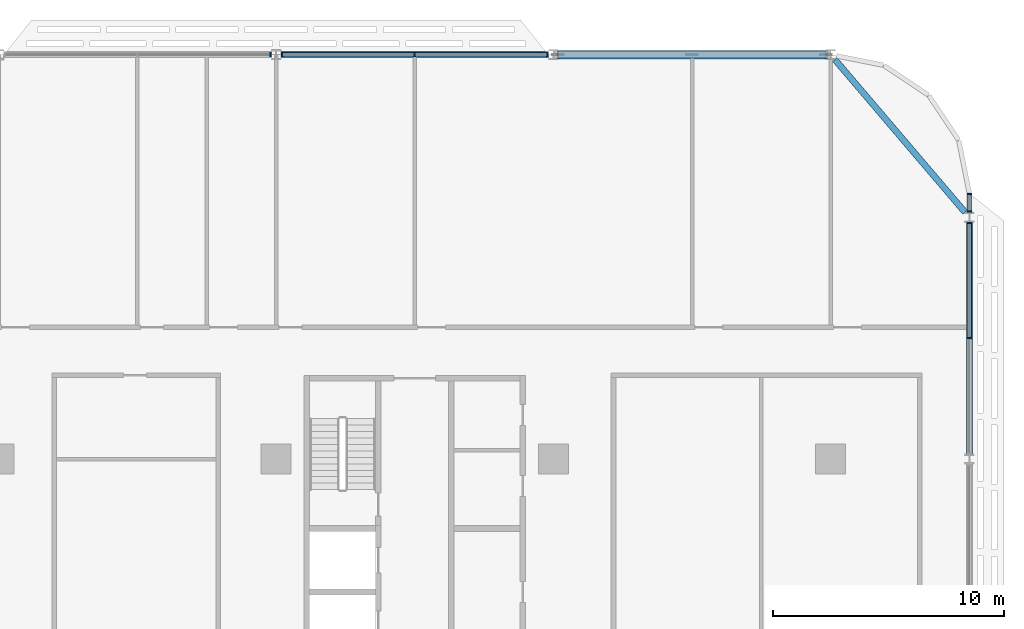
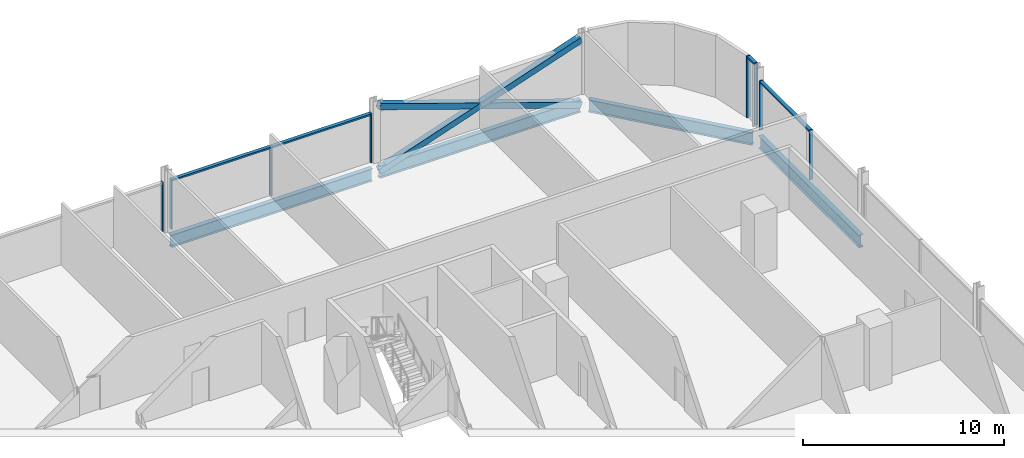
# One storey, part 10 of 28: 15 members, 4 beams, 4 elements without a shape of their own.
"""IFC4 building model written with IfcOpenShell, lengths in metres."""

from ifc_helpers import new_model, si_unit, direction, frame, origin, origin_2d, place, context, subcontext, project, spatial, rectangle, hollow_rectangle, i_section, extrude, material, material_profile, profile_set, type_object, element, aggregate, save


model = new_model("IFC4")

# Units and contexts
model_context = context("Model", 3, precision=1e-05, world=origin(), true_north=direction((0.0, 1.0)))
body_context = subcontext(model_context, "Body", "Model", "MODEL_VIEW")
ifc_project = project(units=[si_unit("LENGTHUNIT", "METRE"), si_unit("AREAUNIT", "SQUARE_METRE"), si_unit("VOLUMEUNIT", "CUBIC_METRE"), si_unit("PLANEANGLEUNIT", "RADIAN"), si_unit("MASSUNIT", "GRAM", prefix="KILO")], contexts=[model_context])

# Site, building, storey
site_placement = place(None, origin())
site = spatial("IfcSite", under=ifc_project, at=site_placement, CompositionType="ELEMENT")
building_placement = place(site_placement, origin())
building = spatial("IfcBuilding", under=site, at=building_placement, Name="Mahtab Terrace Research Tower", CompositionType="ELEMENT")
storey_placement = place(building_placement, frame((0.0, 0.0, 130.199951171875)))
storey = spatial("IfcBuildingStorey", under=building, at=storey_placement, Name="L30", CompositionType="ELEMENT", Elevation=130.199951171875)

# Members
ifc_material_1 = material(Name="Steel ASTM A500 Gr C", Category="steel")
ifc_material_profile_1 = material_profile(ifc_material_1, hollow_rectangle(XDim=0.355712890625, YDim=0.355712890625, WallThickness=0.01904296875, at=origin_2d()), Name="HSS14X14X3/4")
ifc_profile_set_1 = profile_set([ifc_material_profile_1], Name="Steel ASTM A500 Gr C")
member_type_1 = type_object("IfcMemberType", Name="HSS 14x14x3/4 brace XB141434", PredefinedType="BRACE", material=ifc_profile_set_1)
member_1_placement = place(storey_placement, frame((41.794189453125, 29.0, -0.648193359375), z_axis=(-0.946288278, 0.0, 0.323324132908), x_axis=(0.0, -1.0, 0.0)))
element("IfcMember", 1, at=member_1_placement, inside=storey, type_object=member_type_1, Name="Exoskeleton brace L30 01 a", PredefinedType="BRACE", context=body_context, shape_type="SweptSolid", body=[
    extrude(hollow_rectangle(XDim=0.355712890625, YDim=0.355712890625, WallThickness=0.01904296875, at=origin_2d()), origin(), (0.0, 0.0, 1.0), 12.24609375),
])
for number, where, z_axis, x_axis, name in (
    (2, (30.205810546875, 29.0, -0.648193359375), (0.946288278, 0.0, 0.323324132908), (0.0, 1.0, 0.0), "Exoskeleton brace L30 01 b1"),
    (3, (36.0, 29.0, 1.33154296875), (0.946288278, 0.0, 0.323324132908), (0.0, 1.0, 0.0), "Exoskeleton brace L30 01 b2"),
):
    element("IfcMember", number, at=place(storey_placement, frame(where, z_axis=z_axis, x_axis=x_axis)), inside=storey, type_object=member_type_1, Name=name, PredefinedType="BRACE", context=body_context, shape_type="SweptSolid", body=[
        extrude(hollow_rectangle(XDim=0.355712890625, YDim=0.355712890625, WallThickness=0.01904296875, at=origin_2d()), origin(), (0.0, 0.0, 1.0), 6.123046875),
    ])

# Curtain wall, members
ifc_material_2 = material(Name="Laboratory ribbon curtain wall")
curtain_wall_type = type_object("IfcCurtainWallType", Name="Laboratory ribbon curtain wall", PredefinedType="NOTDEFINED", material=ifc_material_2)
curtain_wall_1_placement = place(storey_placement, origin())
curtain_wall_1 = element("IfcCurtainWall", 4, at=curtain_wall_1_placement, inside=storey, type_object=curtain_wall_type, Name="EN.L30.3.4", PredefinedType="NOTDEFINED")
ifc_material_3 = material(Name="Natural anodised aluminium", Category="aluminium")
ifc_material_profile_2 = material_profile(ifc_material_3, rectangle(XDim=0.199951171875, YDim=0.06494140625, at=origin_2d()), Name="MULLION 65x200")
ifc_profile_set_2 = profile_set([ifc_material_profile_2], Name="Natural anodised aluminium")
member_type_2 = type_object("IfcMemberType", Name="Laboratory ribbon curtain wall mullion", PredefinedType="MULLION", material=ifc_profile_set_2)
member_2_placement = place(storey_placement, frame((29.74951171875, 29.0, 0.0), z_axis=(0.0, 0.0, 1.0), x_axis=(0.0, -1.0, 0.0)))
member_2 = element("IfcMember", 5, at=member_2_placement, type_object=member_type_2, Name="CWL-4 mullion 1", PredefinedType="MULLION", context=body_context, shape_type="SweptSolid", body=[
    extrude(rectangle(XDim=0.199951171875, YDim=0.06494140625, at=origin_2d()), origin(), (0.0, 0.0, 1.0), 3.003173828125),
])
member_3_placement = place(storey_placement, frame((24.0, 29.0, 0.0), z_axis=(0.0, 0.0, 1.0), x_axis=(0.0, -1.0, 0.0)))
member_3 = element("IfcMember", 6, at=member_3_placement, type_object=member_type_2, Name="CWL-4 mullion 2", PredefinedType="MULLION", context=body_context, shape_type="SweptSolid", body=[
    extrude(rectangle(XDim=0.199951171875, YDim=0.06494140625, at=origin_2d()), origin(), (0.0, 0.0, 1.0), 3.003173828125),
])
member_4_placement = place(storey_placement, frame((18.25048828125, 29.0, 0.0), z_axis=(0.0, 0.0, 1.0), x_axis=(0.0, -1.0, 0.0)))
member_4 = element("IfcMember", 7, at=member_4_placement, type_object=member_type_2, Name="CWL-4 mullion 3", PredefinedType="MULLION", context=body_context, shape_type="SweptSolid", body=[
    extrude(rectangle(XDim=0.199951171875, YDim=0.06494140625, at=origin_2d()), origin(), (0.0, 0.0, 1.0), 3.003173828125),
])

# Curtain wall, member
curtain_wall_2_placement = place(storey_placement, origin())
curtain_wall_2 = element("IfcCurtainWall", 8, at=curtain_wall_2_placement, inside=storey, type_object=curtain_wall_type, Name="EN.L30.3.5", PredefinedType="NOTDEFINED")
member_5_placement = place(storey_placement, frame((17.74951171875, 29.0, 0.0), z_axis=(0.0, 0.0, 1.0), x_axis=(0.0, -1.0, 0.0)))
member_5 = element("IfcMember", 9, at=member_5_placement, type_object=member_type_2, Name="CWL-4 mullion 1", PredefinedType="MULLION", context=body_context, shape_type="SweptSolid", body=[
    extrude(rectangle(XDim=0.199951171875, YDim=0.06494140625, at=origin_2d()), origin(), (0.0, 0.0, 1.0), 3.003173828125),
])
aggregate(curtain_wall_2, [member_5])

# Curtain wall, members
curtain_wall_3_placement = place(storey_placement, origin())
curtain_wall_3 = element("IfcCurtainWall", 10, at=curtain_wall_3_placement, inside=storey, type_object=curtain_wall_type, Name="EN.L30.18.38", PredefinedType="NOTDEFINED")
member_6_placement = place(storey_placement, frame((48.0, 16.73095703125, 0.0), z_axis=(0.0, 0.0, 1.0), x_axis=(-1.0, 0.0, 0.0)))
member_6 = element("IfcMember", 11, at=member_6_placement, type_object=member_type_2, Name="CWL-4 mullion 2", PredefinedType="MULLION", context=body_context, shape_type="SweptSolid", body=[
    extrude(rectangle(XDim=0.199951171875, YDim=0.06494140625, at=origin_2d()), origin(), (0.0, 0.0, 1.0), 3.003173828125),
])
member_7_placement = place(storey_placement, frame((48.0, 21.71142578125, 0.0), z_axis=(0.0, 0.0, 1.0), x_axis=(-1.0, 0.0, 0.0)))
member_7 = element("IfcMember", 12, at=member_7_placement, type_object=member_type_2, Name="CWL-4 mullion 3", PredefinedType="MULLION", context=body_context, shape_type="SweptSolid", body=[
    extrude(rectangle(XDim=0.199951171875, YDim=0.06494140625, at=origin_2d()), origin(), (0.0, 0.0, 1.0), 3.003173828125),
])

curtain_wall_4_placement = place(storey_placement, origin())
curtain_wall_4 = element("IfcCurtainWall", 13, at=curtain_wall_4_placement, inside=storey, type_object=curtain_wall_type, Name="EN.L30.18.39", PredefinedType="NOTDEFINED")
member_8_placement = place(storey_placement, frame((48.0, 22.21240234375, 0.0), z_axis=(0.0, 0.0, 1.0), x_axis=(-1.0, 0.0, 0.0)))
member_8 = element("IfcMember", 14, at=member_8_placement, type_object=member_type_2, Name="CWL-4 mullion 1", PredefinedType="MULLION", context=body_context, shape_type="SweptSolid", body=[
    extrude(rectangle(XDim=0.199951171875, YDim=0.06494140625, at=origin_2d()), origin(), (0.0, 0.0, 1.0), 3.760009765625),
])
member_9_placement = place(storey_placement, frame((48.0, 22.967529296875, 0.0), z_axis=(0.0, 0.0, 1.0), x_axis=(-1.0, 0.0, 0.0)))
member_9 = element("IfcMember", 15, at=member_9_placement, type_object=member_type_2, Name="CWL-4 mullion 2", PredefinedType="MULLION", context=body_context, shape_type="SweptSolid", body=[
    extrude(rectangle(XDim=0.199951171875, YDim=0.06494140625, at=origin_2d()), origin(), (0.0, 0.0, 1.0), 3.760009765625),
])

# Member
ifc_material_profile_3 = material_profile(ifc_material_3, rectangle(XDim=0.199951171875, YDim=0.10009765625, at=origin_2d()), Name="TRANSOM 100x200")
ifc_profile_set_3 = profile_set([ifc_material_profile_3], Name="Natural anodised aluminium")
member_type_3 = type_object("IfcMemberType", Name="Laboratory ribbon curtain wall transom", PredefinedType="USERDEFINED", material=ifc_profile_set_3)
member_10_placement = place(storey_placement, frame((29.717041015625, 29.0, 2.953125), z_axis=(-1.0, 0.0, 0.0), x_axis=(0.0, -1.0, 0.0)))
member_10 = element("IfcMember", 16, at=member_10_placement, type_object=member_type_3, Name="CWL-4 transom 1", ObjectType="TRANSOM", PredefinedType="USERDEFINED", context=body_context, shape_type="SweptSolid", body=[
    extrude(rectangle(XDim=0.199951171875, YDim=0.10009765625, at=origin_2d()), origin(), (0.0, 0.0, 1.0), 5.6845703125),
])

member_11_placement = place(storey_placement, frame((23.967529296875, 29.0, 2.953125), z_axis=(-1.0, 0.0, 0.0), x_axis=(0.0, -1.0, 0.0)))
member_11 = element("IfcMember", 17, at=member_11_placement, type_object=member_type_3, Name="CWL-4 transom 2", ObjectType="TRANSOM", PredefinedType="USERDEFINED", context=body_context, shape_type="SweptSolid", body=[
    extrude(rectangle(XDim=0.199951171875, YDim=0.10009765625, at=origin_2d()), origin(), (0.0, 0.0, 1.0), 5.6845703125),
])

aggregate(curtain_wall_1, [member_2, member_3, member_4, member_10, member_11])

member_12_placement = place(storey_placement, frame((48.0, 16.763427734375, 2.953125), z_axis=(0.0, 1.0, 0.0), x_axis=(-1.0, 0.0, 0.0)))
member_12 = element("IfcMember", 18, at=member_12_placement, type_object=member_type_3, Name="CWL-4 transom 2", ObjectType="TRANSOM", PredefinedType="USERDEFINED", context=body_context, shape_type="SweptSolid", body=[
    extrude(rectangle(XDim=0.199951171875, YDim=0.10009765625, at=origin_2d()), origin(), (0.0, 0.0, 1.0), 4.91552734375),
])

aggregate(curtain_wall_3, [member_6, member_7, member_12])

member_13_placement = place(storey_placement, frame((48.0, 22.2451171875, 3.7099609375), z_axis=(0.0, 1.0, 0.0), x_axis=(-1.0, 0.0, 0.0)))
member_13 = element("IfcMember", 19, at=member_13_placement, type_object=member_type_3, Name="CWL-4 transom 1", ObjectType="TRANSOM", PredefinedType="USERDEFINED", context=body_context, shape_type="SweptSolid", body=[
    extrude(rectangle(XDim=0.199951171875, YDim=0.10009765625, at=origin_2d()), origin(), (0.0, 0.0, 1.0), 0.68994140625),
])

aggregate(curtain_wall_4, [member_8, member_9, member_13])

# Beams
ifc_material_4 = material(Name="Steel ASTM A992 Gr 50", Category="steel")
ifc_material_profile_4 = material_profile(ifc_material_4, i_section(OverallWidth=0.2666015625, OverallDepth=0.7568359375, WebThickness=0.013916015625, FlangeThickness=0.019287109375, at=origin_2d()), Name="W30X108")
ifc_profile_set_4 = profile_set([ifc_material_profile_4], Name="Steel ASTM A992 Gr 50")
beam_type = type_object("IfcBeamType", Name="W30x108 beam BS30108", PredefinedType="BEAM", material=ifc_profile_set_4)
for number, where, z_axis, x_axis, name in (
    (20, (41.794189453125, 29.0, -0.718505859375), (-1.0, 0.0, 0.0), (0.0, -1.0, 0.0), "Spandrel beam L30 01"),
    (21, (29.794189453125, 29.0, -0.718505859375), (-1.0, 0.0, 0.0), (0.0, -1.0, 0.0), "Spandrel beam L30 02"),
):
    element("IfcBeam", number, at=place(storey_placement, frame(where, z_axis=z_axis, x_axis=x_axis)), inside=storey, type_object=beam_type, Name=name, PredefinedType="BEAM", context=body_context, shape_type="SweptSolid", body=[
        extrude(i_section(OverallWidth=0.2666015625, OverallDepth=0.7568359375, WebThickness=0.013916015625, FlangeThickness=0.019287109375, at=origin_2d()), origin(), (0.0, 0.0, 1.0), 11.58837890625),
    ])
beam_1_placement = place(storey_placement, frame((48.0, 11.717041015625, -0.718505859375), z_axis=(0.0, 1.0, 0.0), x_axis=(-1.0, 0.0, 0.0)))
element("IfcBeam", 22, at=beam_1_placement, inside=storey, type_object=beam_type, Name="Spandrel beam L30 24", PredefinedType="BEAM", context=body_context, shape_type="SweptSolid", body=[
    extrude(i_section(OverallWidth=0.2666015625, OverallDepth=0.7568359375, WebThickness=0.013916015625, FlangeThickness=0.019287109375, at=origin_2d()), origin(), (0.0, 0.0, 1.0), 10.02783203125),
])
beam_2_placement = place(storey_placement, frame((47.81494140625, 22.17919921875, -0.718505859375), z_axis=(-0.648764091423, 0.760989588417, 0.0), x_axis=(-0.760989588417, -0.648764091423, 0.0)))
element("IfcBeam", 23, at=beam_2_placement, inside=storey, type_object=beam_type, Name="Spandrel beam L30 25", PredefinedType="BEAM", context=body_context, shape_type="SweptSolid", body=[
    extrude(i_section(OverallWidth=0.2666015625, OverallDepth=0.7568359375, WebThickness=0.013916015625, FlangeThickness=0.019287109375, at=origin_2d()), origin(), (0.0, 0.0, 1.0), 8.677978515625),
])

save(model, "model.ifc")
